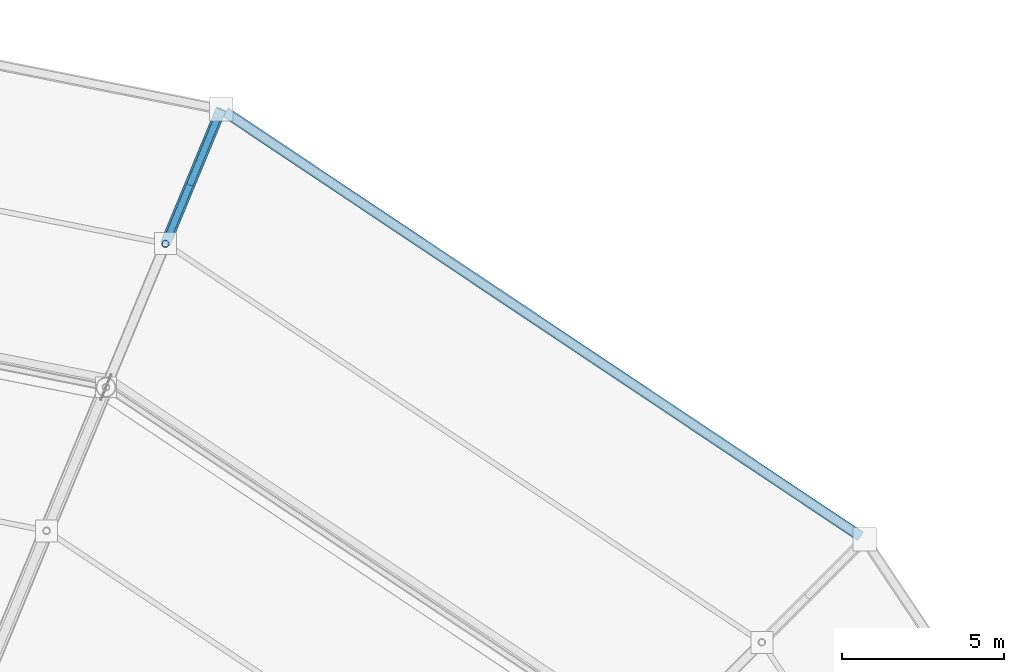
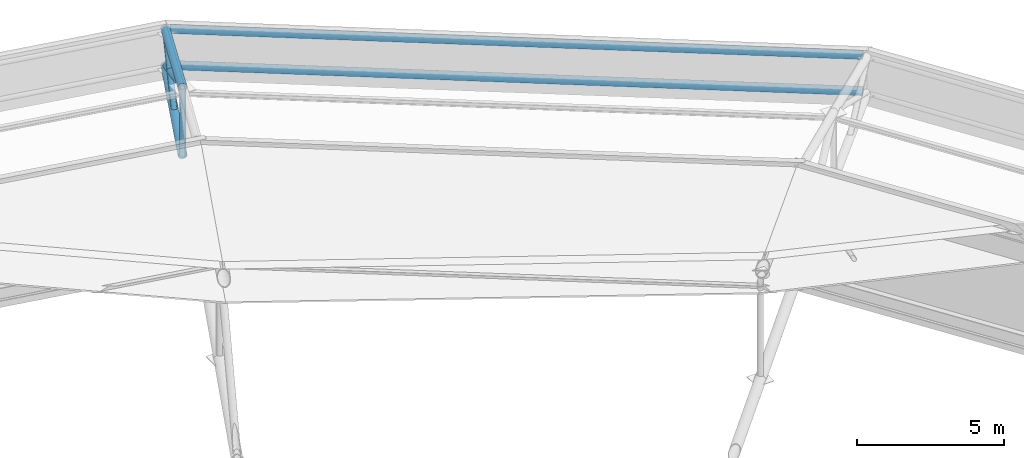
# One storey, part 101 of 146: 7 members.
"""IFC4 building model written with IfcOpenShell, lengths in metres."""

import ifcopenshell
import ifcopenshell.guid

model = None  # the IFC model being written
_history = None  # IfcOwnerHistory: only IFC2X3 demands one
_inside = {}  # id of a spatial element -> (the spatial element, [elements in it])
_under = {}  # id of a project, library or spatial element -> (it, [spatial elements below it])
_declared = {}  # id of a project -> (the project, [libraries it declares])
_typed = {}  # id of a type object -> (the type object, [elements of that type])
_made_of = {}  # id of a material, layer set ... -> (it, [elements and type objects made of it])


def new_model(schema):
    """Start an empty IFC model of exactly this schema.

    Asked for "IFC4X3", IfcOpenShell would pick the latest addendum, in which some entities
    have other attributes; the version numbers below select the first issue.
    IFC2X3 requires an IfcOwnerHistory on every rooted entity: one is made here for all.
    """
    global model, _history
    if schema == "IFC4X3":
        model = ifcopenshell.file(schema_version=(4, 3, 0, 0))
    else:
        model = ifcopenshell.file(schema=schema)
    _inside.clear()
    _under.clear()
    _declared.clear()
    _typed.clear()
    _made_of.clear()
    _history = None
    if model.schema == "IFC2X3":
        org = make("IfcOrganization", Name="unknown")
        user = make(
            "IfcPersonAndOrganization",
            ThePerson=make("IfcPerson", FamilyName="unknown"),
            TheOrganization=org,
        )
        app = make(
            "IfcApplication",
            ApplicationDeveloper=org,
            Version="unknown",
            ApplicationFullName="unknown",
            ApplicationIdentifier="unknown",
        )
        _history = make(
            "IfcOwnerHistory",
            OwningUser=user,
            OwningApplication=app,
            ChangeAction="ADDED",
            CreationDate=0,
        )
    return model


def make(cls, **values):
    """One entity of the class cls with the attributes given. An attribute that is None is left unset."""
    return model.create_entity(
        cls, **{name: value for name, value in values.items() if value is not None}
    )


def rooted(cls, **values):
    """An entity with a GlobalId (a new one), such as an element, a storey or a relation."""
    return make(cls, GlobalId=ifcopenshell.guid.new(), OwnerHistory=_history, **values)


def si_unit(unit_type, name, prefix=None):
    """IfcSIUnit, for example si_unit("LENGTHUNIT", "METRE", prefix="MILLI")."""
    return make("IfcSIUnit", UnitType=unit_type, Prefix=prefix, Name=name)


def assignment(units):
    """IfcUnitAssignment: the units of a project."""
    return None if units is None else make("IfcUnitAssignment", Units=units)


def point(xyz):
    """IfcCartesianPoint."""
    return None if xyz is None else make("IfcCartesianPoint", Coordinates=xyz)


def direction(xyz):
    """IfcDirection."""
    return None if xyz is None else make("IfcDirection", DirectionRatios=xyz)


def frame(location, z_axis=None, x_axis=None):
    """IfcAxis2Placement3D, a coordinate frame: its origin and axes. An axis left out is left unset."""
    return make(
        "IfcAxis2Placement3D",
        Location=point(location),
        Axis=direction(z_axis),
        RefDirection=direction(x_axis),
    )


def frame_2d(location, x_axis=None):
    """IfcAxis2Placement2D, a coordinate frame in the plane: its origin and x axis."""
    return make(
        "IfcAxis2Placement2D", Location=point(location), RefDirection=direction(x_axis)
    )


def origin():
    """The frame at (0, 0, 0) with its axes left unset."""
    return frame((0.0, 0.0, 0.0))


def origin_2d():
    """The frame at (0, 0) in the plane with its x axis left unset."""
    return frame_2d((0.0, 0.0))


def place(relative_to, where):
    """IfcLocalPlacement: puts the frame where relative to a parent placement (None: the world)."""
    return make(
        "IfcLocalPlacement", PlacementRelTo=relative_to, RelativePlacement=where
    )


def context(
    kind, dimensions, precision=None, world=None, true_north=None, identifier=None
):
    """IfcGeometricRepresentationContext, for example the 3D "Model" context."""
    return make(
        "IfcGeometricRepresentationContext",
        ContextIdentifier=identifier,
        ContextType=kind,
        CoordinateSpaceDimension=dimensions,
        Precision=precision,
        WorldCoordinateSystem=world,
        TrueNorth=true_north,
    )


def subcontext(parent, identifier, kind, view, scale=None):
    """IfcGeometricRepresentationSubContext, for example "Body" below "Model"."""
    return make(
        "IfcGeometricRepresentationSubContext",
        ContextIdentifier=identifier,
        ContextType=kind,
        ParentContext=parent,
        TargetScale=scale,
        TargetView=view,
    )


def project(units=None, contexts=None):
    """IfcProject with its units and contexts."""
    return rooted(
        "IfcProject",
        Name="project",
        RepresentationContexts=contexts,
        UnitsInContext=assignment(units),
    )


def spatial(cls, under=None, at=None, **own):
    """A site, building, storey or space (cls), placed at a placement, below another one or the project."""
    s = rooted(cls, ObjectPlacement=at, **own)
    if under is not None:
        _under.setdefault(under.id(), (under, []))[1].append(s)
    return s


def profile(cls, at=None, kind="AREA", **sizes):
    """A parametric profile (cls). Its sizes go by their IFC names, for example OverallWidth=200.0."""
    return make(cls, ProfileType=kind, Position=at, **sizes)


def hollow_circle(**sizes):
    """IfcCircleHollowProfileDef."""
    return profile("IfcCircleHollowProfileDef", **sizes)


def extrude(swept, where, along, depth):
    """IfcExtrudedAreaSolid: the profile swept, set in the frame where, extruded along a direction by depth."""
    return make(
        "IfcExtrudedAreaSolid",
        SweptArea=swept,
        Position=where,
        ExtrudedDirection=direction(along),
        Depth=depth,
    )


def shape(context_of_items, identifier, shape_type, items):
    """IfcShapeRepresentation: the items that make up one representation, for example the "Body"."""
    return make(
        "IfcShapeRepresentation",
        ContextOfItems=context_of_items,
        RepresentationIdentifier=identifier,
        RepresentationType=shape_type,
        Items=items,
    )


def material(Name=None, Category=None):
    """IfcMaterial."""
    return make("IfcMaterial", Name=Name, Category=Category)


def material_profile(
    of_material, cross_section, Name=None, Category=None, Priority=None
):
    """IfcMaterialProfile: a cross section and its material."""
    return make(
        "IfcMaterialProfile",
        Name=Name,
        Material=of_material,
        Profile=cross_section,
        Priority=Priority,
        Category=Category,
    )


def profile_set(profiles, Name=None, composite=None):
    """IfcMaterialProfileSet."""
    return make(
        "IfcMaterialProfileSet",
        Name=Name,
        MaterialProfiles=profiles,
        CompositeProfile=composite,
    )


def made_of(thing, what):
    """Note that an element or type object is made of a material, layer set ...; save() writes the relation."""
    if what is not None:
        _made_of.setdefault(what.id(), (what, []))[1].append(thing)
    return thing


def type_object(cls, material=None, **own):
    """A type object (cls), such as IfcWallType, which elements share."""
    return made_of(rooted(cls, **own), material)


def element(
    cls,
    number,
    at=None,
    inside=None,
    cuts=None,
    type_object=None,
    material=None,
    context=None,
    identifier="Body",
    shape_type=None,
    held_by="IfcProductDefinitionShape",
    body=None,
    shapes=None,
    **own,
):
    """One element of the class cls, such as IfcWall. Its Tag is "e" and its number.

    at: its placement. inside: the storey or other place that contains it. cuts: it is an
    opening in that element (IfcRelVoidsElement). A single representation is given by context,
    identifier, shape_type and body (its items); several are given by shapes. held_by: the class
    of the entity that holds the representations. save() writes the other relations.
    """
    e = rooted(cls, Tag="e%d" % number, ObjectPlacement=at, **own)
    if body is not None:
        shapes = [shape(context, identifier, shape_type, body)]
    if shapes is not None:
        e.Representation = make(held_by, Representations=shapes)
    if inside is not None:
        _inside.setdefault(inside.id(), (inside, []))[1].append(e)
    if cuts is not None:
        rooted(
            "IfcRelVoidsElement", RelatingBuildingElement=cuts, RelatedOpeningElement=e
        )
    if type_object is not None:
        _typed.setdefault(type_object.id(), (type_object, []))[1].append(e)
    return made_of(e, material)


def aggregate(whole, parts):
    """IfcRelAggregates: a whole, such as a stair, and the parts it consists of."""
    return rooted("IfcRelAggregates", RelatingObject=whole, RelatedObjects=parts)


def save(model, path):
    """Write the relations noted so far, then the file.

    IfcRelAggregates (storeys below a building ...), IfcRelContainedInSpatialStructure (elements
    in a storey), IfcRelDefinesByType, IfcRelAssociatesMaterial and IfcRelDeclares: one each for
    every whole, place, type object, material and project.
    """
    for whole, parts in _under.values():
        aggregate(whole, parts)
    for where, things in _inside.values():
        rooted(
            "IfcRelContainedInSpatialStructure",
            RelatedElements=things,
            RelatingStructure=where,
        )
    for kind, things in _typed.values():
        rooted("IfcRelDefinesByType", RelatedObjects=things, RelatingType=kind)
    for what, things in _made_of.values():
        rooted("IfcRelAssociatesMaterial", RelatedObjects=things, RelatingMaterial=what)
    for by, libraries in _declared.values():
        rooted("IfcRelDeclares", RelatingContext=by, RelatedDefinitions=libraries)
    model.write(path)


model = new_model("IFC4")

# Units and contexts
model_context = context("Model", 3, precision=1e-05, world=origin(), true_north=direction((0.0, 1.0)))
body_context = subcontext(model_context, "Body", "Model", "MODEL_VIEW")
ifc_project = project(units=[si_unit("LENGTHUNIT", "METRE"), si_unit("AREAUNIT", "SQUARE_METRE"), si_unit("VOLUMEUNIT", "CUBIC_METRE"), si_unit("PLANEANGLEUNIT", "RADIAN"), si_unit("MASSUNIT", "GRAM", prefix="KILO")], contexts=[model_context])

# Site, building, storey
site_placement = place(None, origin())
site = spatial("IfcSite", under=ifc_project, at=site_placement, CompositionType="ELEMENT")
building_placement = place(site_placement, origin())
building = spatial("IfcBuilding", under=site, at=building_placement, Name="Candeia Ridge Stadium", CompositionType="ELEMENT")
storey_placement = place(building_placement, frame((0.0, 0.0, 31.800048828125)))
storey = spatial("IfcBuildingStorey", under=building, at=storey_placement, Name="RF", CompositionType="ELEMENT", Elevation=31.800048828125)

# Members
ifc_material = material(Name="Steel ASTM A572 Grade 50", Category="steel")
ifc_material_profile_1 = material_profile(ifc_material, hollow_circle(Radius=0.161865234375, WallThickness=0.012451171875, at=origin_2d()), Name="CHS323x12", Category="steel")
ifc_profile_set_1 = profile_set([ifc_material_profile_1], Name="Steel ASTM A572 Grade 50")
member_type_1 = type_object("IfcMemberType", Name="Roof Truss Eaves Chord CHS323x12", PredefinedType="CHORD", material=ifc_profile_set_1)
for number, where, z_axis, x_axis, name in (
    (1, (184.212646484375, 138.4345703125, 3.281005859375), (-0.831470476236, 0.555568940049, 0.0), (-0.555568940049, -0.831470476236, 0.0), "Saddle roof outer eaves top ring chord bay 35"),
    (2, (184.212646484375, 138.4345703125, 1.781005859375), (-0.831470476236, 0.555568940049, 0.0), (-0.555568940049, -0.831470476236, 0.0), "Saddle roof outer eaves bottom ring chord bay 35"),
):
    element("IfcMember", number, at=place(storey_placement, frame(where, z_axis=z_axis, x_axis=x_axis)), inside=storey, type_object=member_type_1, Name=name, PredefinedType="CHORD", context=body_context, shape_type="SweptSolid", body=[
        extrude(hollow_circle(Radius=0.161865234375, WallThickness=0.012451171875, at=origin_2d()), origin(), (0.0, 0.0, 1.0), 23.59814453125),
    ])
member_1_placement = place(storey_placement, frame((162.736328125, 147.476318359375, 3.958251953125), z_axis=(0.378438250885, 0.913584487427, -0.148821620067), x_axis=(-0.923872679915, 0.382699975578, 0.0)))
element("IfcMember", 3, at=member_1_placement, inside=storey, type_object=member_type_1, Name="Roof cantilever truss RT-36 top chord 8", PredefinedType="CHORD", context=body_context, shape_type="SweptSolid", body=[
    extrude(hollow_circle(Radius=0.161865234375, WallThickness=0.012451171875, at=origin_2d()), origin(), (0.0, 0.0, 1.0), 4.55078125),
])
member_2_placement = place(storey_placement, frame((162.736328125, 147.476318359375, 1.15185546875), z_axis=(0.379013657665, 0.914973571928, 0.138463027474), x_axis=(-0.923872679915, 0.382699975578, 0.0)))
element("IfcMember", 4, at=member_2_placement, inside=storey, type_object=member_type_1, Name="Roof cantilever truss RT-36 bottom chord 8", PredefinedType="CHORD", context=body_context, shape_type="SweptSolid", body=[
    extrude(hollow_circle(Radius=0.161865234375, WallThickness=0.012451171875, at=origin_2d()), origin(), (0.0, 0.0, 1.0), 4.543701171875),
])
ifc_material_profile_2 = material_profile(ifc_material, hollow_circle(Radius=0.109619140625, WallThickness=0.010009765625, at=origin_2d()), Name="CHS219x10", Category="steel")
ifc_profile_set_2 = profile_set([ifc_material_profile_2], Name="Steel ASTM A572 Grade 50")
member_type_2 = type_object("IfcMemberType", Name="Roof Truss Inner Web Brace CHS219x10", PredefinedType="BRACE", material=ifc_profile_set_2)
member_3_placement = place(storey_placement, frame((162.736328125, 147.476318359375, 3.958251953125), z_axis=(0.344496809804, 0.831646749952, -0.435529139472), x_axis=(-0.923872679915, 0.382699975578, 0.0)))
element("IfcMember", 5, at=member_3_placement, inside=storey, type_object=member_type_2, Name="Roof cantilever truss RT-36 diagonal web 8", PredefinedType="BRACE", context=body_context, shape_type="SweptSolid", body=[
    extrude(hollow_circle(Radius=0.109619140625, WallThickness=0.010009765625, at=origin_2d()), origin(), (0.0, 0.0, 1.0), 4.9990234375),
])
member_4_placement = place(storey_placement, frame((162.736328125, 147.476318359375, 1.15185546875), z_axis=(0.0, 0.0, 1.0), x_axis=(1.0, 0.0, 0.0)))
element("IfcMember", 6, at=member_4_placement, inside=storey, type_object=member_type_2, Name="Roof cantilever truss RT-36 vertical post 7", PredefinedType="BRACE", context=body_context, shape_type="SweptSolid", body=[
    extrude(hollow_circle(Radius=0.109619140625, WallThickness=0.010009765625, at=origin_2d()), origin(), (0.0, 0.0, 1.0), 2.806396484375),
])
member_5_placement = place(storey_placement, frame((163.511474609375, 149.34716796875, 1.43505859375), z_axis=(0.306721963062, 0.740592396504, 0.597866657054), x_axis=(-0.923897814256, 0.382639293348, 0.0)))
element("IfcMember", 7, at=member_5_placement, inside=storey, type_object=member_type_2, Name="Roof cantilever truss RT-36 vertical post 8", PredefinedType="BRACE", context=body_context, shape_type="SweptSolid", body=[
    extrude(hollow_circle(Radius=0.109619140625, WallThickness=0.010009765625, at=origin_2d()), origin(), (0.0, 0.0, 1.0), 3.087646484375),
])

save(model, "model.ifc")
